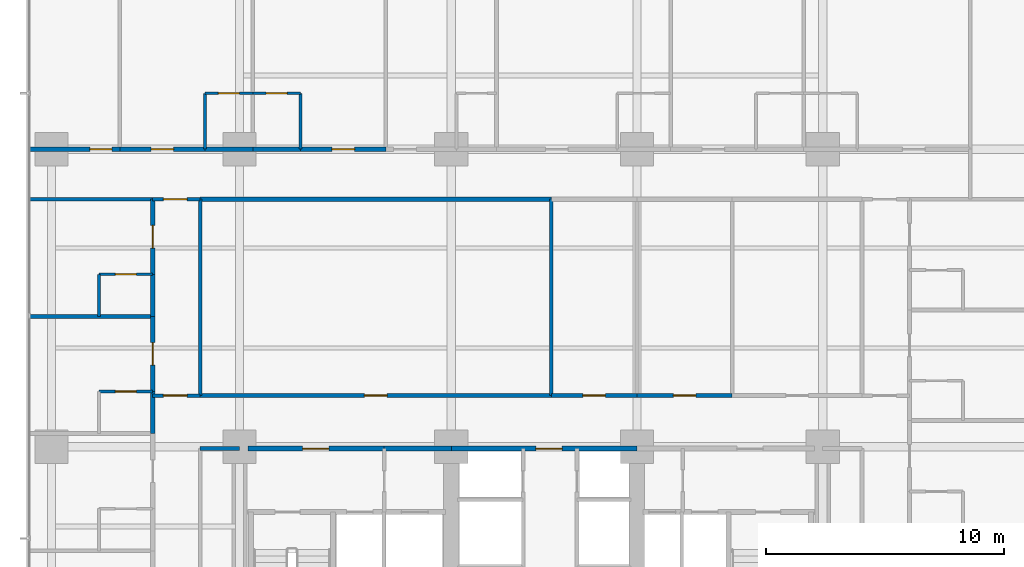
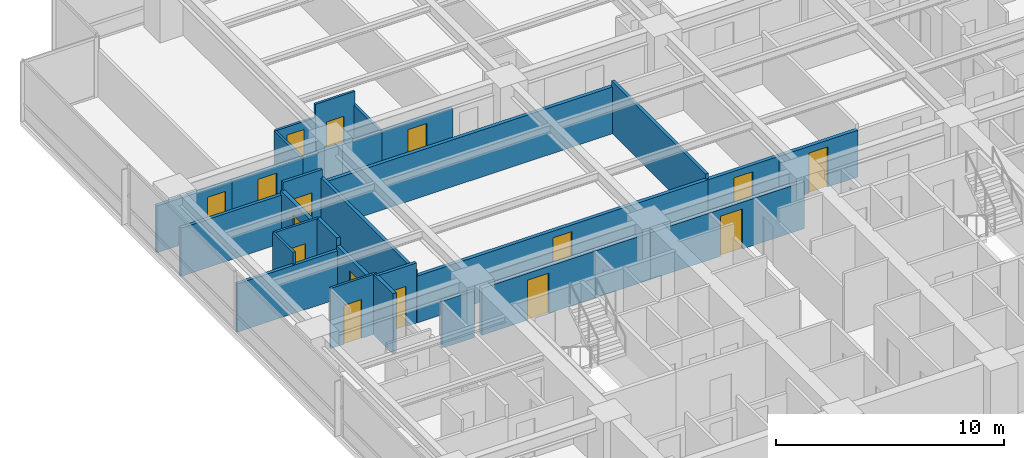
# One storey, part 9 of 17: 30 walls, 16 doors, 16 openings.
"""IFC4 building model written with IfcOpenShell, lengths in metres."""

from ifc_helpers import new_model, si_unit, direction, frame, frame_2d, origin, place, context, subcontext, project, spatial, rectangle, extrude, material, layer, layer_set, type_object, element, fill, save


model = new_model("IFC4")

# Units and contexts
model_context = context("Model", 3, precision=1e-05, world=origin(), true_north=direction((0.0, 1.0)))
body_context = subcontext(model_context, "Body", "Model", "MODEL_VIEW")
ifc_project = project(units=[si_unit("LENGTHUNIT", "METRE"), si_unit("AREAUNIT", "SQUARE_METRE"), si_unit("VOLUMEUNIT", "CUBIC_METRE"), si_unit("PLANEANGLEUNIT", "RADIAN"), si_unit("MASSUNIT", "GRAM", prefix="KILO")], contexts=[model_context])

# Site, building, storey
site_placement = place(None, origin())
site = spatial("IfcSite", under=ifc_project, at=site_placement, CompositionType="ELEMENT")
building_placement = place(site_placement, origin())
building = spatial("IfcBuilding", under=site, at=building_placement, Name="Qalmaran Belvedere Hotel", CompositionType="ELEMENT")
storey_placement = place(building_placement, frame((0.0, 0.0, 61.39990234375)))
storey = spatial("IfcBuildingStorey", under=building, at=storey_placement, Name="L15", CompositionType="ELEMENT", Elevation=61.39990234375)

# Wall, opening, door
ifc_material_1 = material(Name="Moisture-Resistant Gypsum")
ifc_layer_1 = layer(ifc_material_1, 0.1201171875, Name="Moisture-Resistant Gypsum")
ifc_layer_set_1 = layer_set([ifc_layer_1], Name="Moisture-Resistant Gypsum")
wall_type_1 = type_object("IfcWallType", Name="WL-INT-120-BATH", PredefinedType="PARTITIONING", material=ifc_layer_set_1)
wall_1_placement = place(storey_placement, frame((18.847412109375, 35.35009765625, 0.0), z_axis=(0.0, 0.0, 1.0), x_axis=(1.0, 0.0, 0.0)))
wall_1 = element("IfcWall", 1, at=wall_1_placement, inside=storey, type_object=wall_type_1, Name="L15 Partition WL-L15-NBN00", PredefinedType="PARTITIONING", context=body_context, shape_type="SweptSolid", body=[
    extrude(rectangle(XDim=2.010009765625, YDim=0.1201171875, at=frame_2d((1.0048828125, 0.0))), origin(), (0.0, 0.0, 1.0), 2.510009765625),
])
opening_1_placement = place(wall_1_placement, frame((1.44482421875, 0.0, 0.0), z_axis=(0.0, 0.0, 1.0), x_axis=(-1.0, 0.0, 0.0)))
opening_1 = element("IfcOpeningElement", 2, at=opening_1_placement, cuts=wall_1, Name="Opening D-BATH", PredefinedType="OPENING", context=body_context, shape_type="SweptSolid", body=[
    extrude(rectangle(XDim=0.8798828125, YDim=2.080078125, at=frame_2d((0.43994140625, 1.0400390625))), frame((0.0, 0.070068359375, 0.0), z_axis=(0.0, -1.0, 0.0), x_axis=(1.0, 0.0, 0.0)), (0.0, 0.0, 1.0), 0.14013671875),
])
ifc_material_2 = material(Name="Engineered Oak Veneer")
door_type_1 = type_object("IfcDoorType", Name="DR-INT-BATH-880X2080", OperationType="NOTDEFINED", PredefinedType="DOOR", material=ifc_material_2)
door_1_placement = place(opening_1_placement, origin())
door_1 = element("IfcDoor", 3, at=door_1_placement, inside=storey, type_object=door_type_1, Name="L15 Ensuite Bathroom Door N01", OperationType="SINGLE_SWING_RIGHT", OverallHeight=2.080078125, OverallWidth=0.8798828125, PredefinedType="DOOR", context=body_context, shape_type="SweptSolid", body=[
    extrude(rectangle(XDim=0.8798828125, YDim=2.080078125, at=frame_2d((0.43994140625, 1.0400390625))), frame((0.0, 0.02490234375, 0.0), z_axis=(0.0, -1.0, 0.0), x_axis=(1.0, 0.0, 0.0)), (0.0, 0.0, 1.0), 0.050048828125),
])
fill(opening_1, door_1)

# Wall
wall_2_placement = place(storey_placement, frame((18.847412109375, 33.0, 0.0), z_axis=(0.0, 0.0, 1.0), x_axis=(0.0, 1.0, 0.0)))
element("IfcWall", 4, at=wall_2_placement, inside=storey, type_object=wall_type_1, Name="L15 Partition WL-L15-NBS00", PredefinedType="PARTITIONING", context=body_context, shape_type="SweptSolid", body=[
    extrude(rectangle(XDim=2.35009765625, YDim=0.1201171875, at=frame_2d((1.175048828125, 0.0))), origin(), (0.0, 0.0, 1.0), 2.510009765625),
])

# Wall, opening, door
wall_3_placement = place(storey_placement, frame((20.857421875, 35.35009765625, 0.0), z_axis=(0.0, 0.0, 1.0), x_axis=(1.0, 0.0, 0.0)))
wall_3 = element("IfcWall", 5, at=wall_3_placement, inside=storey, type_object=wall_type_1, Name="L15 Partition WL-L15-NBN01", PredefinedType="PARTITIONING", context=body_context, shape_type="SweptSolid", body=[
    extrude(rectangle(XDim=2.010009765625, YDim=0.1201171875, at=frame_2d((1.0048828125, 0.0))), origin(), (0.0, 0.0, 1.0), 3.22021484375),
])
opening_2_placement = place(wall_3_placement, frame((1.44482421875, 0.0, 0.0), z_axis=(0.0, 0.0, 1.0), x_axis=(-1.0, 0.0, 0.0)))
opening_2 = element("IfcOpeningElement", 6, at=opening_2_placement, cuts=wall_3, Name="Opening D-BATH", PredefinedType="OPENING", context=body_context, shape_type="SweptSolid", body=[
    extrude(rectangle(XDim=0.8798828125, YDim=2.080078125, at=frame_2d((0.43994140625, 1.0400390625))), frame((0.0, 0.070068359375, 0.0), z_axis=(0.0, -1.0, 0.0), x_axis=(1.0, 0.0, 0.0)), (0.0, 0.0, 1.0), 0.14013671875),
])
door_2_placement = place(opening_2_placement, origin())
door_2 = element("IfcDoor", 7, at=door_2_placement, inside=storey, type_object=door_type_1, Name="L15 Ensuite Bathroom Door N02", OperationType="SINGLE_SWING_RIGHT", OverallHeight=2.080078125, OverallWidth=0.8798828125, PredefinedType="DOOR", context=body_context, shape_type="SweptSolid", body=[
    extrude(rectangle(XDim=0.8798828125, YDim=2.080078125, at=frame_2d((0.43994140625, 1.0400390625))), frame((0.0, 0.02490234375, 0.0), z_axis=(0.0, -1.0, 0.0), x_axis=(1.0, 0.0, 0.0)), (0.0, 0.0, 1.0), 0.050048828125),
])
fill(opening_2, door_2)

# Wall
wall_4_placement = place(storey_placement, frame((22.867431640625, 33.0, 0.0), z_axis=(0.0, 0.0, 1.0), x_axis=(0.0, 1.0, 0.0)))
element("IfcWall", 8, at=wall_4_placement, inside=storey, type_object=wall_type_1, Name="L15 Partition WL-L15-NBS01", PredefinedType="PARTITIONING", context=body_context, shape_type="SweptSolid", body=[
    extrude(rectangle(XDim=2.35009765625, YDim=0.1201171875, at=frame_2d((1.175048828125, 0.0))), origin(), (0.0, 0.0, 1.0), 2.510009765625),
])

# Wall, opening, door
wall_5_placement = place(storey_placement, frame((14.39990234375, 22.820068359375, 0.0), z_axis=(0.0, 0.0, 1.0), x_axis=(1.0, 0.0, 0.0)))
wall_5 = element("IfcWall", 9, at=wall_5_placement, inside=storey, type_object=wall_type_1, Name="L15 Partition WL-L15-WBN02", PredefinedType="PARTITIONING", context=body_context, shape_type="SweptSolid", body=[
    extrude(rectangle(XDim=2.25, YDim=0.1201171875, at=frame_2d((1.125, 0.0))), origin(), (0.0, 0.0, 1.0), 3.22021484375),
])
opening_3_placement = place(wall_5_placement, frame((1.56494140625, 0.0, 0.0), z_axis=(0.0, 0.0, 1.0), x_axis=(-1.0, 0.0, 0.0)))
opening_3 = element("IfcOpeningElement", 10, at=opening_3_placement, cuts=wall_5, Name="Opening D-BATH", PredefinedType="OPENING", context=body_context, shape_type="SweptSolid", body=[
    extrude(rectangle(XDim=0.8798828125, YDim=2.080078125, at=frame_2d((0.43994140625, 1.0400390625))), frame((0.0, 0.070068359375, 0.0), z_axis=(0.0, -1.0, 0.0), x_axis=(1.0, 0.0, 0.0)), (0.0, 0.0, 1.0), 0.14013671875),
])
door_3_placement = place(opening_3_placement, origin())
door_3 = element("IfcDoor", 11, at=door_3_placement, inside=storey, type_object=door_type_1, Name="L15 W Ensuite Door 03", OperationType="SINGLE_SWING_RIGHT", OverallHeight=2.080078125, OverallWidth=0.8798828125, PredefinedType="DOOR", context=body_context, shape_type="SweptSolid", body=[
    extrude(rectangle(XDim=0.8798828125, YDim=2.080078125, at=frame_2d((0.43994140625, 1.0400390625))), frame((0.0, 0.02490234375, 0.0), z_axis=(0.0, -1.0, 0.0), x_axis=(1.0, 0.0, 0.0)), (0.0, 0.0, 1.0), 0.050048828125),
])
fill(opening_3, door_3)

wall_6_placement = place(storey_placement, frame((14.39990234375, 27.7451171875, 0.0), z_axis=(0.0, 0.0, 1.0), x_axis=(1.0, 0.0, 0.0)))
wall_6 = element("IfcWall", 12, at=wall_6_placement, inside=storey, type_object=wall_type_1, Name="L15 Partition WL-L15-WBN03", PredefinedType="PARTITIONING", context=body_context, shape_type="SweptSolid", body=[
    extrude(rectangle(XDim=2.25, YDim=0.1201171875, at=frame_2d((1.125, 0.0))), origin(), (0.0, 0.0, 1.0), 3.22021484375),
])
opening_4_placement = place(wall_6_placement, frame((1.56494140625, 0.0, 0.0), z_axis=(0.0, 0.0, 1.0), x_axis=(-1.0, 0.0, 0.0)))
opening_4 = element("IfcOpeningElement", 13, at=opening_4_placement, cuts=wall_6, Name="Opening D-BATH", PredefinedType="OPENING", context=body_context, shape_type="SweptSolid", body=[
    extrude(rectangle(XDim=0.8798828125, YDim=2.080078125, at=frame_2d((0.43994140625, 1.0400390625))), frame((0.0, 0.070068359375, 0.0), z_axis=(0.0, -1.0, 0.0), x_axis=(1.0, 0.0, 0.0)), (0.0, 0.0, 1.0), 0.14013671875),
])
door_4_placement = place(opening_4_placement, origin())
door_4 = element("IfcDoor", 14, at=door_4_placement, inside=storey, type_object=door_type_1, Name="L15 W Ensuite Door 04", OperationType="SINGLE_SWING_RIGHT", OverallHeight=2.080078125, OverallWidth=0.8798828125, PredefinedType="DOOR", context=body_context, shape_type="SweptSolid", body=[
    extrude(rectangle(XDim=0.8798828125, YDim=2.080078125, at=frame_2d((0.43994140625, 1.0400390625))), frame((0.0, 0.02490234375, 0.0), z_axis=(0.0, -1.0, 0.0), x_axis=(1.0, 0.0, 0.0)), (0.0, 0.0, 1.0), 0.050048828125),
])
fill(opening_4, door_4)

# Wall
wall_7_placement = place(storey_placement, frame((14.39990234375, 25.97509765625, 0.0), z_axis=(0.0, 0.0, 1.0), x_axis=(0.0, 1.0, 0.0)))
element("IfcWall", 15, at=wall_7_placement, inside=storey, type_object=wall_type_1, Name="L15 Partition WL-L15-WBS03", PredefinedType="PARTITIONING", context=body_context, shape_type="SweptSolid", body=[
    extrude(rectangle(XDim=1.77001953125, YDim=0.1201171875, at=frame_2d((0.885009765625, 0.0))), origin(), (0.0, 0.0, 1.0), 3.22021484375),
])

# Wall, opening, door
ifc_material_3 = material(Name="Gypsum Stud Partition")
ifc_layer_2 = layer(ifc_material_3, 0.14990234375, Name="Gypsum Stud Partition")
ifc_layer_set_2 = layer_set([ifc_layer_2], Name="Gypsum Stud Partition")
wall_type_2 = type_object("IfcWallType", Name="WL-INT-150-EI60", PredefinedType="PARTITIONING", material=ifc_layer_set_2)
wall_8_placement = place(storey_placement, frame((16.64990234375, 22.64990234375, 0.0), z_axis=(0.0, 0.0, 1.0), x_axis=(1.0, 0.0, 0.0)))
wall_8 = element("IfcWall", 16, at=wall_8_placement, inside=storey, type_object=wall_type_2, Name="L15 Partition WL-L15-XCW1", PredefinedType="PARTITIONING", context=body_context, shape_type="SweptSolid", body=[
    extrude(rectangle(XDim=2.0, YDim=0.14990234375, at=frame_2d((1.0, 0.0))), origin(), (0.0, 0.0, 1.0), 3.22021484375),
])
opening_5_placement = place(wall_8_placement, frame((0.449951171875, 0.0, 0.0)))
opening_5 = element("IfcOpeningElement", 17, at=opening_5_placement, cuts=wall_8, Name="Opening FD90B", PredefinedType="OPENING", context=body_context, shape_type="SweptSolid", body=[
    extrude(rectangle(XDim=1.0, YDim=2.14990234375, at=frame_2d((0.5, 1.074951171875))), frame((0.0, 0.0849609375, 0.0), z_axis=(0.0, -1.0, 0.0), x_axis=(1.0, 0.0, 0.0)), (0.0, 0.0, 1.0), 0.169921875),
])
ifc_material_4 = material(Name="Steel S355JR", Category="steel")
door_type_2 = type_object("IfcDoorType", Name="DR-FD90B-1000X2150", OperationType="NOTDEFINED", PredefinedType="DOOR", material=ifc_material_4)
door_5_placement = place(opening_5_placement, origin())
door_5 = element("IfcDoor", 18, at=door_5_placement, inside=storey, type_object=door_type_2, Name="L15 West Corridor Smoke Door S", OperationType="SINGLE_SWING_RIGHT", OverallHeight=2.14990234375, OverallWidth=1.0, PredefinedType="DOOR", context=body_context, shape_type="SweptSolid", body=[
    extrude(rectangle(XDim=1.0, YDim=2.14990234375, at=frame_2d((0.5, 1.074951171875))), frame((0.0, 0.02490234375, 0.0), z_axis=(0.0, -1.0, 0.0), x_axis=(1.0, 0.0, 0.0)), (0.0, 0.0, 1.0), 0.050048828125),
])
fill(opening_5, door_5)

wall_9_placement = place(storey_placement, frame((16.64990234375, 30.89990234375, 0.0), z_axis=(0.0, 0.0, 1.0), x_axis=(1.0, 0.0, 0.0)))
wall_9 = element("IfcWall", 19, at=wall_9_placement, inside=storey, type_object=wall_type_2, Name="L15 Partition WL-L15-XCW2", PredefinedType="PARTITIONING", context=body_context, shape_type="SweptSolid", body=[
    extrude(rectangle(XDim=2.0, YDim=0.14990234375, at=frame_2d((1.0, 0.0))), origin(), (0.0, 0.0, 1.0), 3.22021484375),
])
opening_6_placement = place(wall_9_placement, frame((0.449951171875, 0.0, 0.0)))
opening_6 = element("IfcOpeningElement", 20, at=opening_6_placement, cuts=wall_9, Name="Opening FD90B", PredefinedType="OPENING", context=body_context, shape_type="SweptSolid", body=[
    extrude(rectangle(XDim=1.0, YDim=2.14990234375, at=frame_2d((0.5, 1.074951171875))), frame((0.0, 0.0849609375, 0.0), z_axis=(0.0, -1.0, 0.0), x_axis=(1.0, 0.0, 0.0)), (0.0, 0.0, 1.0), 0.169921875),
])
door_6_placement = place(opening_6_placement, origin())
door_6 = element("IfcDoor", 21, at=door_6_placement, inside=storey, type_object=door_type_2, Name="L15 West Corridor Smoke Door N", OperationType="SINGLE_SWING_LEFT", OverallHeight=2.14990234375, OverallWidth=1.0, PredefinedType="DOOR", context=body_context, shape_type="SweptSolid", body=[
    extrude(rectangle(XDim=1.0, YDim=2.14990234375, at=frame_2d((0.5, 1.074951171875))), frame((0.0, 0.02490234375, 0.0), z_axis=(0.0, -1.0, 0.0), x_axis=(1.0, 0.0, 0.0)), (0.0, 0.0, 1.0), 0.050048828125),
])
fill(opening_6, door_6)

# Walls
ifc_layer_3 = layer(ifc_material_3, 0.159912109375, Name="Gypsum Stud Partition")
ifc_layer_set_3 = layer_set([ifc_layer_3], Name="Gypsum Stud Partition")
wall_type_3 = type_object("IfcWallType", Name="WL-INT-160-EI60", PredefinedType="PARTITIONING", material=ifc_layer_set_3)
wall_10_placement = place(storey_placement, frame((18.64990234375, 20.419921875, 0.0), z_axis=(0.0, 0.0, 1.0), x_axis=(1.0, 0.0, 0.0)))
element("IfcWall", 22, at=wall_10_placement, inside=storey, type_object=wall_type_3, Name="L15 Partition WL-L15-WCLN", PredefinedType="PARTITIONING", context=body_context, shape_type="SweptSolid", body=[
    extrude(rectangle(XDim=1.650146484375, YDim=0.159912109375, at=frame_2d((0.8251953125, 0.0))), origin(), (0.0, 0.0, 1.0), 2.510009765625),
])
for number, where, z_axis, x_axis, name in (
    (23, (18.64990234375, 22.64990234375, 0.0), (0.0, 0.0, 1.0), (0.0, 1.0, 0.0), "L15 Partition WL-L15-MIDVL"),
    (24, (33.39990234375, 22.64990234375, 0.0), (0.0, 0.0, 1.0), (0.0, 1.0, 0.0), "L15 Partition WL-L15-MIDVR1"),
):
    element("IfcWall", number, at=place(storey_placement, frame(where, z_axis=z_axis, x_axis=x_axis)), inside=storey, type_object=wall_type_3, Name=name, PredefinedType="PARTITIONING", context=body_context, shape_type="SweptSolid", body=[
        extrude(rectangle(XDim=8.25, YDim=0.159912109375, at=frame_2d((4.125, 0.0))), origin(), (0.0, 0.0, 1.0), 2.7880859375),
    ])
for number, where, z_axis, x_axis, name in (
    (25, (11.469970703125, 25.97509765625, 0.0), (0.0, 0.0, 1.0), (1.0, 0.0, 0.0), "L15 Partition WL-L15-WU02"),
    (26, (11.469970703125, 30.89990234375, 0.0), (0.0, 0.0, 1.0), (1.0, 0.0, 0.0), "L15 Partition WL-L15-WU03"),
):
    element("IfcWall", number, at=place(storey_placement, frame(where, z_axis=z_axis, x_axis=x_axis)), inside=storey, type_object=wall_type_3, Name=name, PredefinedType="PARTITIONING", context=body_context, shape_type="SweptSolid", body=[
        extrude(rectangle(XDim=5.179931640625, YDim=0.159912109375, at=frame_2d((2.58984375, 0.0))), origin(), (0.0, 0.0, 1.0), 2.5830078125),
    ])

# Wall, opening, door
ifc_layer_4 = layer(ifc_material_3, 0.179931640625, Name="Gypsum Stud Partition")
ifc_layer_set_4 = layer_set([ifc_layer_4], Name="Gypsum Stud Partition")
wall_type_4 = type_object("IfcWallType", Name="WL-INT-180-EI60", PredefinedType="PARTITIONING", material=ifc_layer_set_4)
wall_11_placement = place(storey_placement, frame((18.64990234375, 22.64990234375, 0.0), z_axis=(0.0, 0.0, 1.0), x_axis=(1.0, 0.0, 0.0)))
wall_11 = element("IfcWall", 27, at=wall_11_placement, inside=storey, type_object=wall_type_4, Name="L15 Partition WL-L15-MIDD1", PredefinedType="PARTITIONING", context=body_context, shape_type="SweptSolid", body=[
    extrude(rectangle(XDim=14.75, YDim=0.179931640625, at=frame_2d((7.375, 0.0))), origin(), (0.0, 0.0, 1.0), 2.510009765625),
])
opening_7_placement = place(wall_11_placement, frame((6.89990234375, 0.0, 0.0)))
opening_7 = element("IfcOpeningElement", 28, at=opening_7_placement, cuts=wall_11, Name="Opening FD60", PredefinedType="OPENING", context=body_context, shape_type="SweptSolid", body=[
    extrude(rectangle(XDim=0.949951171875, YDim=2.14990234375, at=frame_2d((0.47509765625, 1.074951171875))), frame((0.0, 0.10009765625, 0.0), z_axis=(0.0, -1.0, 0.0), x_axis=(1.0, 0.0, 0.0)), (0.0, 0.0, 1.0), 0.199951171875),
])
door_type_3 = type_object("IfcDoorType", Name="DR-FD60-950X2150", OperationType="NOTDEFINED", PredefinedType="DOOR", material=ifc_material_2)
door_7_placement = place(opening_7_placement, origin())
door_7 = element("IfcDoor", 29, at=door_7_placement, inside=storey, type_object=door_type_3, Name="L15 Housekeeping and Linen Room Door", OperationType="SINGLE_SWING_RIGHT", OverallHeight=2.14990234375, OverallWidth=0.949951171875, PredefinedType="DOOR", context=body_context, shape_type="SweptSolid", body=[
    extrude(rectangle(XDim=0.949951171875, YDim=2.14990234375, at=frame_2d((0.47509765625, 1.074951171875))), frame((0.0, 0.02490234375, 0.0), z_axis=(0.0, -1.0, 0.0), x_axis=(1.0, 0.0, 0.0)), (0.0, 0.0, 1.0), 0.050048828125),
])
fill(opening_7, door_7)

# Wall
wall_12_placement = place(storey_placement, frame((18.64990234375, 30.89990234375, 0.0), z_axis=(0.0, 0.0, 1.0), x_axis=(1.0, 0.0, 0.0)))
element("IfcWall", 30, at=wall_12_placement, inside=storey, type_object=wall_type_4, Name="L15 Partition WL-L15-MIDO1", PredefinedType="PARTITIONING", context=body_context, shape_type="SweptSolid", body=[
    extrude(rectangle(XDim=14.75, YDim=0.179931640625, at=frame_2d((7.375, 0.0))), origin(), (0.0, 0.0, 1.0), 2.510009765625),
])

# Wall, opening, door
wall_13_placement = place(storey_placement, frame((33.39990234375, 22.64990234375, 0.0), z_axis=(0.0, 0.0, 1.0), x_axis=(1.0, 0.0, 0.0)))
wall_13 = element("IfcWall", 31, at=wall_13_placement, inside=storey, type_object=wall_type_4, Name="L15 Partition WL-L15-MIDD2", PredefinedType="PARTITIONING", context=body_context, shape_type="SweptSolid", body=[
    extrude(rectangle(XDim=3.60009765625, YDim=0.179931640625, at=frame_2d((1.800048828125, 0.0))), origin(), (0.0, 0.0, 1.0), 2.510009765625),
])
opening_8_placement = place(wall_13_placement, frame((1.324951171875, 0.0, 0.0)))
opening_8 = element("IfcOpeningElement", 32, at=opening_8_placement, cuts=wall_13, Name="Opening FD60", PredefinedType="OPENING", context=body_context, shape_type="SweptSolid", body=[
    extrude(rectangle(XDim=0.949951171875, YDim=2.14990234375, at=frame_2d((0.47509765625, 1.074951171875))), frame((0.0, 0.10009765625, 0.0), z_axis=(0.0, -1.0, 0.0), x_axis=(1.0, 0.0, 0.0)), (0.0, 0.0, 1.0), 0.199951171875),
])
door_8_placement = place(opening_8_placement, origin())
door_8 = element("IfcDoor", 33, at=door_8_placement, inside=storey, type_object=door_type_3, Name="L15 Butler Pantry Door", OperationType="SINGLE_SWING_LEFT", OverallHeight=2.14990234375, OverallWidth=0.949951171875, PredefinedType="DOOR", context=body_context, shape_type="SweptSolid", body=[
    extrude(rectangle(XDim=0.949951171875, YDim=2.14990234375, at=frame_2d((0.47509765625, 1.074951171875))), frame((0.0, 0.02490234375, 0.0), z_axis=(0.0, -1.0, 0.0), x_axis=(1.0, 0.0, 0.0)), (0.0, 0.0, 1.0), 0.050048828125),
])
fill(opening_8, door_8)

wall_14_placement = place(storey_placement, frame((37.0, 22.64990234375, 0.0), z_axis=(0.0, 0.0, 1.0), x_axis=(1.0, 0.0, 0.0)))
wall_14 = element("IfcWall", 34, at=wall_14_placement, inside=storey, type_object=wall_type_4, Name="L15 Partition WL-L15-MIDD3", PredefinedType="PARTITIONING", context=body_context, shape_type="SweptSolid", body=[
    extrude(rectangle(XDim=4.0, YDim=0.179931640625, at=frame_2d((2.0, 0.0))), origin(), (0.0, 0.0, 1.0), 2.510009765625),
])
opening_9_placement = place(wall_14_placement, frame((1.52490234375, 0.0, 0.0)))
opening_9 = element("IfcOpeningElement", 35, at=opening_9_placement, cuts=wall_14, Name="Opening FD60", PredefinedType="OPENING", context=body_context, shape_type="SweptSolid", body=[
    extrude(rectangle(XDim=0.949951171875, YDim=2.14990234375, at=frame_2d((0.47509765625, 1.074951171875))), frame((0.0, 0.10009765625, 0.0), z_axis=(0.0, -1.0, 0.0), x_axis=(1.0, 0.0, 0.0)), (0.0, 0.0, 1.0), 0.199951171875),
])
door_9_placement = place(opening_9_placement, origin())
door_9 = element("IfcDoor", 36, at=door_9_placement, inside=storey, type_object=door_type_3, Name="L15 Coffee Pantry Door", OperationType="SINGLE_SWING_RIGHT", OverallHeight=2.14990234375, OverallWidth=0.949951171875, PredefinedType="DOOR", context=body_context, shape_type="SweptSolid", body=[
    extrude(rectangle(XDim=0.949951171875, YDim=2.14990234375, at=frame_2d((0.47509765625, 1.074951171875))), frame((0.0, 0.02490234375, 0.0), z_axis=(0.0, -1.0, 0.0), x_axis=(1.0, 0.0, 0.0)), (0.0, 0.0, 1.0), 0.050048828125),
])
fill(opening_9, door_9)

# Wall
wall_15_placement = place(storey_placement, frame((18.847412109375, 33.0, 0.0), z_axis=(0.0, 0.0, 1.0), x_axis=(1.0, 0.0, 0.0)))
element("IfcWall", 37, at=wall_15_placement, inside=storey, type_object=wall_type_4, Name="L15 Partition WL-L15-NBC00", PredefinedType="PARTITIONING", context=body_context, shape_type="SweptSolid", body=[
    extrude(rectangle(XDim=2.010009765625, YDim=0.179931640625, at=frame_2d((1.0048828125, 0.0))), origin(), (0.0, 0.0, 1.0), 2.510009765625),
])

# Wall, opening, door
wall_16_placement = place(storey_placement, frame((15.27001953125, 33.0, 0.0), z_axis=(0.0, 0.0, 1.0), x_axis=(1.0, 0.0, 0.0)))
wall_16 = element("IfcWall", 38, at=wall_16_placement, inside=storey, type_object=wall_type_4, Name="L15 Partition WL-L15-NEC00", PredefinedType="PARTITIONING", context=body_context, shape_type="SweptSolid", body=[
    extrude(rectangle(XDim=3.577392578125, YDim=0.179931640625, at=frame_2d((1.78857421875, 0.0))), origin(), (0.0, 0.0, 1.0), 2.510009765625),
])
opening_10_placement = place(wall_16_placement, frame((1.313720703125, 0.0, 0.0)))
opening_10 = element("IfcOpeningElement", 39, at=opening_10_placement, cuts=wall_16, Name="Opening FD60", PredefinedType="OPENING", context=body_context, shape_type="SweptSolid", body=[
    extrude(rectangle(XDim=0.949951171875, YDim=2.14990234375, at=frame_2d((0.47509765625, 1.074951171875))), frame((0.0, 0.10009765625, 0.0), z_axis=(0.0, -1.0, 0.0), x_axis=(1.0, 0.0, 0.0)), (0.0, 0.0, 1.0), 0.199951171875),
])
door_10_placement = place(opening_10_placement, origin())
door_10 = element("IfcDoor", 40, at=door_10_placement, inside=storey, type_object=door_type_3, Name="L15 Guest Entrance Door N01", OperationType="SINGLE_SWING_LEFT", OverallHeight=2.14990234375, OverallWidth=0.949951171875, PredefinedType="DOOR", context=body_context, shape_type="SweptSolid", body=[
    extrude(rectangle(XDim=0.949951171875, YDim=2.14990234375, at=frame_2d((0.47509765625, 1.074951171875))), frame((0.0, 0.02490234375, 0.0), z_axis=(0.0, -1.0, 0.0), x_axis=(1.0, 0.0, 0.0)), (0.0, 0.0, 1.0), 0.050048828125),
])
fill(opening_10, door_10)

# Wall
wall_17_placement = place(storey_placement, frame((20.857421875, 33.0, 0.0), z_axis=(0.0, 0.0, 1.0), x_axis=(1.0, 0.0, 0.0)))
element("IfcWall", 41, at=wall_17_placement, inside=storey, type_object=wall_type_4, Name="L15 Partition WL-L15-NBC01", PredefinedType="PARTITIONING", context=body_context, shape_type="SweptSolid", body=[
    extrude(rectangle(XDim=2.010009765625, YDim=0.179931640625, at=frame_2d((1.0048828125, 0.0))), origin(), (0.0, 0.0, 1.0), 2.510009765625),
])

# Wall, opening, door
wall_18_placement = place(storey_placement, frame((22.867431640625, 33.0, 0.0), z_axis=(0.0, 0.0, 1.0), x_axis=(1.0, 0.0, 0.0)))
wall_18 = element("IfcWall", 42, at=wall_18_placement, inside=storey, type_object=wall_type_4, Name="L15 Partition WL-L15-NEC01", PredefinedType="PARTITIONING", context=body_context, shape_type="SweptSolid", body=[
    extrude(rectangle(XDim=3.577392578125, YDim=0.179931640625, at=frame_2d((1.78857421875, 0.0))), origin(), (0.0, 0.0, 1.0), 2.510009765625),
])
opening_11_placement = place(wall_18_placement, frame((1.313720703125, 0.0, 0.0)))
opening_11 = element("IfcOpeningElement", 43, at=opening_11_placement, cuts=wall_18, Name="Opening FD60", PredefinedType="OPENING", context=body_context, shape_type="SweptSolid", body=[
    extrude(rectangle(XDim=0.949951171875, YDim=2.14990234375, at=frame_2d((0.47509765625, 1.074951171875))), frame((0.0, 0.10009765625, 0.0), z_axis=(0.0, -1.0, 0.0), x_axis=(1.0, 0.0, 0.0)), (0.0, 0.0, 1.0), 0.199951171875),
])
door_11_placement = place(opening_11_placement, origin())
door_11 = element("IfcDoor", 44, at=door_11_placement, inside=storey, type_object=door_type_3, Name="L15 Guest Entrance Door N02", OperationType="SINGLE_SWING_LEFT", OverallHeight=2.14990234375, OverallWidth=0.949951171875, PredefinedType="DOOR", context=body_context, shape_type="SweptSolid", body=[
    extrude(rectangle(XDim=0.949951171875, YDim=2.14990234375, at=frame_2d((0.47509765625, 1.074951171875))), frame((0.0, 0.02490234375, 0.0), z_axis=(0.0, -1.0, 0.0), x_axis=(1.0, 0.0, 0.0)), (0.0, 0.0, 1.0), 0.050048828125),
])
fill(opening_11, door_11)

# Wall
wall_19_placement = place(storey_placement, frame((16.64990234375, 21.050048828125, 0.0), z_axis=(0.0, 0.0, 1.0), x_axis=(0.0, 1.0, 0.0)))
element("IfcWall", 45, at=wall_19_placement, inside=storey, type_object=wall_type_4, Name="L15 Partition WL-L15-WBC02", PredefinedType="PARTITIONING", context=body_context, shape_type="SweptSolid", body=[
    extrude(rectangle(XDim=1.77001953125, YDim=0.179931640625, at=frame_2d((0.885009765625, 0.0))), origin(), (0.0, 0.0, 1.0), 3.22021484375),
])

# Wall, opening, door
wall_20_placement = place(storey_placement, frame((16.64990234375, 22.820068359375, 0.0), z_axis=(0.0, 0.0, 1.0), x_axis=(0.0, 1.0, 0.0)))
wall_20 = element("IfcWall", 46, at=wall_20_placement, inside=storey, type_object=wall_type_4, Name="L15 Partition WL-L15-WEC02", PredefinedType="PARTITIONING", context=body_context, shape_type="SweptSolid", body=[
    extrude(rectangle(XDim=3.155029296875, YDim=0.179931640625, at=frame_2d((1.57763671875, 0.0))), origin(), (0.0, 0.0, 1.0), 2.7880859375),
])
opening_12_placement = place(wall_20_placement, frame((1.1025390625, 0.0, 0.0)))
opening_12 = element("IfcOpeningElement", 47, at=opening_12_placement, cuts=wall_20, Name="Opening FD60", PredefinedType="OPENING", context=body_context, shape_type="SweptSolid", body=[
    extrude(rectangle(XDim=0.949951171875, YDim=2.14990234375, at=frame_2d((0.47509765625, 1.074951171875))), frame((0.0, 0.10009765625, 0.0), z_axis=(0.0, -1.0, 0.0), x_axis=(1.0, 0.0, 0.0)), (0.0, 0.0, 1.0), 0.199951171875),
])
door_12_placement = place(opening_12_placement, origin())
door_12 = element("IfcDoor", 48, at=door_12_placement, inside=storey, type_object=door_type_3, Name="L15 W Wing Door 03", OperationType="SINGLE_SWING_LEFT", OverallHeight=2.14990234375, OverallWidth=0.949951171875, PredefinedType="DOOR", context=body_context, shape_type="SweptSolid", body=[
    extrude(rectangle(XDim=0.949951171875, YDim=2.14990234375, at=frame_2d((0.47509765625, 1.074951171875))), frame((0.0, 0.02490234375, 0.0), z_axis=(0.0, -1.0, 0.0), x_axis=(1.0, 0.0, 0.0)), (0.0, 0.0, 1.0), 0.050048828125),
])
fill(opening_12, door_12)

# Wall
wall_21_placement = place(storey_placement, frame((16.64990234375, 25.97509765625, 0.0), z_axis=(0.0, 0.0, 1.0), x_axis=(0.0, 1.0, 0.0)))
element("IfcWall", 49, at=wall_21_placement, inside=storey, type_object=wall_type_4, Name="L15 Partition WL-L15-WBC03", PredefinedType="PARTITIONING", context=body_context, shape_type="SweptSolid", body=[
    extrude(rectangle(XDim=1.77001953125, YDim=0.179931640625, at=frame_2d((0.885009765625, 0.0))), origin(), (0.0, 0.0, 1.0), 3.22021484375),
])

# Wall, opening, door
wall_22_placement = place(storey_placement, frame((16.64990234375, 27.7451171875, 0.0), z_axis=(0.0, 0.0, 1.0), x_axis=(0.0, 1.0, 0.0)))
wall_22 = element("IfcWall", 50, at=wall_22_placement, inside=storey, type_object=wall_type_4, Name="L15 Partition WL-L15-WEC03", PredefinedType="PARTITIONING", context=body_context, shape_type="SweptSolid", body=[
    extrude(rectangle(XDim=3.15478515625, YDim=0.179931640625, at=frame_2d((1.577392578125, 0.0))), origin(), (0.0, 0.0, 1.0), 2.7880859375),
])
opening_13_placement = place(wall_22_placement, frame((1.1025390625, 0.0, 0.0)))
opening_13 = element("IfcOpeningElement", 51, at=opening_13_placement, cuts=wall_22, Name="Opening FD60", PredefinedType="OPENING", context=body_context, shape_type="SweptSolid", body=[
    extrude(rectangle(XDim=0.949951171875, YDim=2.14990234375, at=frame_2d((0.47509765625, 1.074951171875))), frame((0.0, 0.10009765625, 0.0), z_axis=(0.0, -1.0, 0.0), x_axis=(1.0, 0.0, 0.0)), (0.0, 0.0, 1.0), 0.199951171875),
])
door_13_placement = place(opening_13_placement, origin())
door_13 = element("IfcDoor", 52, at=door_13_placement, inside=storey, type_object=door_type_3, Name="L15 W Wing Door 04", OperationType="SINGLE_SWING_LEFT", OverallHeight=2.14990234375, OverallWidth=0.949951171875, PredefinedType="DOOR", context=body_context, shape_type="SweptSolid", body=[
    extrude(rectangle(XDim=0.949951171875, YDim=2.14990234375, at=frame_2d((0.47509765625, 1.074951171875))), frame((0.0, 0.02490234375, 0.0), z_axis=(0.0, -1.0, 0.0), x_axis=(1.0, 0.0, 0.0)), (0.0, 0.0, 1.0), 0.050048828125),
])
fill(opening_13, door_13)

wall_23_placement = place(storey_placement, frame((11.469970703125, 33.0, 0.0), z_axis=(0.0, 0.0, 1.0), x_axis=(1.0, 0.0, 0.0)))
wall_23 = element("IfcWall", 53, at=wall_23_placement, inside=storey, type_object=wall_type_4, Name="L15 Partition WL-L15-NWSD", PredefinedType="PARTITIONING", context=body_context, shape_type="SweptSolid", body=[
    extrude(rectangle(XDim=3.800048828125, YDim=0.179931640625, at=frame_2d((1.89990234375, 0.0))), origin(), (0.0, 0.0, 1.0), 2.510009765625),
])
opening_14_placement = place(wall_23_placement, frame((2.543701171875, 0.0, 0.0)))
opening_14 = element("IfcOpeningElement", 54, at=opening_14_placement, cuts=wall_23, Name="Opening FD60S1", PredefinedType="OPENING", context=body_context, shape_type="SweptSolid", body=[
    extrude(rectangle(XDim=0.919921875, YDim=2.080078125, at=frame_2d((0.4599609375, 1.0400390625))), frame((0.0, 0.10009765625, 0.0), z_axis=(0.0, -1.0, 0.0), x_axis=(1.0, 0.0, 0.0)), (0.0, 0.0, 1.0), 0.199951171875),
])
door_type_4 = type_object("IfcDoorType", Name="DR-FD60S-920X2080", OperationType="NOTDEFINED", PredefinedType="DOOR", material=ifc_material_2)
door_14_placement = place(opening_14_placement, origin())
door_14 = element("IfcDoor", 55, at=door_14_placement, inside=storey, type_object=door_type_4, Name="L15 NW Belvedere Study Door", OperationType="SINGLE_SWING_RIGHT", OverallHeight=2.080078125, OverallWidth=0.919921875, PredefinedType="DOOR", context=body_context, shape_type="SweptSolid", body=[
    extrude(rectangle(XDim=0.919921875, YDim=2.080078125, at=frame_2d((0.4599609375, 1.0400390625))), frame((0.0, 0.02490234375, 0.0), z_axis=(0.0, -1.0, 0.0), x_axis=(1.0, 0.0, 0.0)), (0.0, 0.0, 1.0), 0.050048828125),
])
fill(opening_14, door_14)

ifc_material_5 = material(Name="Concrete C30/37 Blockwork", Category="masonry")
ifc_layer_5 = layer(ifc_material_5, 0.199951171875, Name="Concrete C30/37 Blockwork")
ifc_layer_set_5 = layer_set([ifc_layer_5], Name="Concrete C30/37 Blockwork")
wall_type_5 = type_object("IfcWallType", Name="WL-INT-200-EI120", PredefinedType="PARTITIONING", material=ifc_layer_set_5)
wall_24_placement = place(storey_placement, frame((20.64990234375, 20.419921875, 0.0), z_axis=(0.0, 0.0, 1.0), x_axis=(1.0, 0.0, 0.0)))
wall_24 = element("IfcWall", 56, at=wall_24_placement, inside=storey, type_object=wall_type_5, Name="L15 Partition WL-CN1A-L15", PredefinedType="PARTITIONING", context=body_context, shape_type="SweptSolid", body=[
    extrude(rectangle(XDim=5.72998046875, YDim=0.199951171875, at=frame_2d((2.864990234375, 0.0))), origin(), (0.0, 0.0, 1.0), 2.510009765625),
])
opening_15_placement = place(wall_24_placement, frame((2.300048828125, 0.0, 0.0)))
opening_15 = element("IfcOpeningElement", 57, at=opening_15_placement, cuts=wall_24, Name="Opening FD90", PredefinedType="OPENING", context=body_context, shape_type="SweptSolid", body=[
    extrude(rectangle(XDim=1.10009765625, YDim=2.14990234375, at=frame_2d((0.550048828125, 1.074951171875))), frame((0.0, 0.10986328125, 0.0), z_axis=(0.0, -1.0, 0.0), x_axis=(1.0, 0.0, 0.0)), (0.0, 0.0, 1.0), 0.219970703125),
])
door_type_5 = type_object("IfcDoorType", Name="DR-FD90-1100X2150", OperationType="NOTDEFINED", PredefinedType="DOOR", material=ifc_material_4)
door_15_placement = place(opening_15_placement, origin())
door_15 = element("IfcDoor", 58, at=door_15_placement, inside=storey, type_object=door_type_5, Name="L15 FF1 Lobby Corridor Door", OperationType="SINGLE_SWING_LEFT", OverallHeight=2.14990234375, OverallWidth=1.10009765625, PredefinedType="DOOR", context=body_context, shape_type="SweptSolid", body=[
    extrude(rectangle(XDim=1.10009765625, YDim=2.14990234375, at=frame_2d((0.550048828125, 1.074951171875))), frame((0.0, 0.02490234375, 0.0), z_axis=(0.0, -1.0, 0.0), x_axis=(1.0, 0.0, 0.0)), (0.0, 0.0, 1.0), 0.050048828125),
])
fill(opening_15, door_15)

# Wall
wall_25_placement = place(storey_placement, frame((26.3798828125, 20.419921875, 0.0), z_axis=(0.0, 0.0, 1.0), x_axis=(1.0, 0.0, 0.0)))
element("IfcWall", 59, at=wall_25_placement, inside=storey, type_object=wall_type_5, Name="L15 Partition WL-CN1B-L15", PredefinedType="PARTITIONING", context=body_context, shape_type="SweptSolid", body=[
    extrude(rectangle(XDim=2.820068359375, YDim=0.199951171875, at=frame_2d((1.41015625, 0.0))), origin(), (0.0, 0.0, 1.0), 2.510009765625),
])

# Wall, opening, door
wall_26_placement = place(storey_placement, frame((29.199951171875, 20.419921875, 0.0), z_axis=(0.0, 0.0, 1.0), x_axis=(1.0, 0.0, 0.0)))
wall_26 = element("IfcWall", 60, at=wall_26_placement, inside=storey, type_object=wall_type_5, Name="L15 Partition WL-CN2-L15", PredefinedType="PARTITIONING", context=body_context, shape_type="SweptSolid", body=[
    extrude(rectangle(XDim=7.800048828125, YDim=0.199951171875, at=frame_2d((3.89990234375, 0.0))), origin(), (0.0, 0.0, 1.0), 2.510009765625),
])
opening_16_placement = place(wall_26_placement, frame((3.550048828125, 0.0, 0.0)))
opening_16 = element("IfcOpeningElement", 61, at=opening_16_placement, cuts=wall_26, Name="Opening FD90", PredefinedType="OPENING", context=body_context, shape_type="SweptSolid", body=[
    extrude(rectangle(XDim=1.10009765625, YDim=2.14990234375, at=frame_2d((0.550048828125, 1.074951171875))), frame((0.0, 0.10986328125, 0.0), z_axis=(0.0, -1.0, 0.0), x_axis=(1.0, 0.0, 0.0)), (0.0, 0.0, 1.0), 0.219970703125),
])
door_16_placement = place(opening_16_placement, origin())
door_16 = element("IfcDoor", 62, at=door_16_placement, inside=storey, type_object=door_type_5, Name="L15 Central Lift Lobby Door", OperationType="SINGLE_SWING_RIGHT", OverallHeight=2.14990234375, OverallWidth=1.10009765625, PredefinedType="DOOR", context=body_context, shape_type="SweptSolid", body=[
    extrude(rectangle(XDim=1.10009765625, YDim=2.14990234375, at=frame_2d((0.550048828125, 1.074951171875))), frame((0.0, 0.02490234375, 0.0), z_axis=(0.0, -1.0, 0.0), x_axis=(1.0, 0.0, 0.0)), (0.0, 0.0, 1.0), 0.050048828125),
])
fill(opening_16, door_16)

save(model, "model.ifc")
